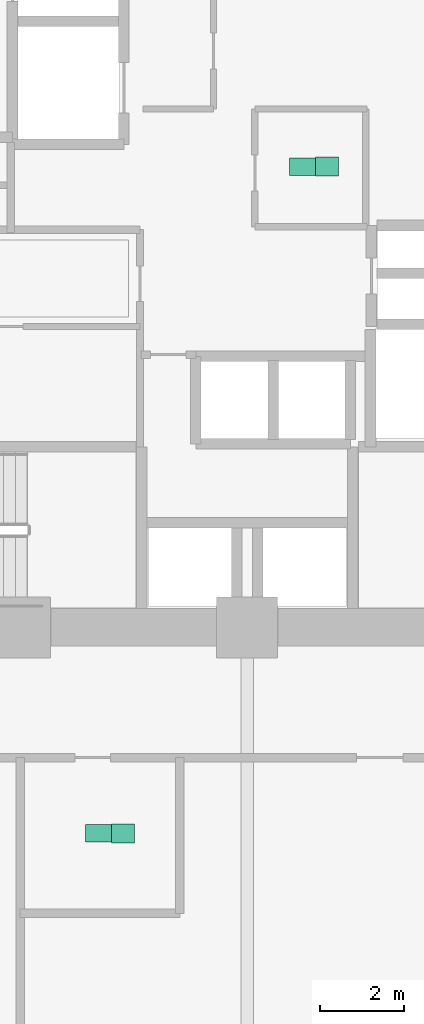
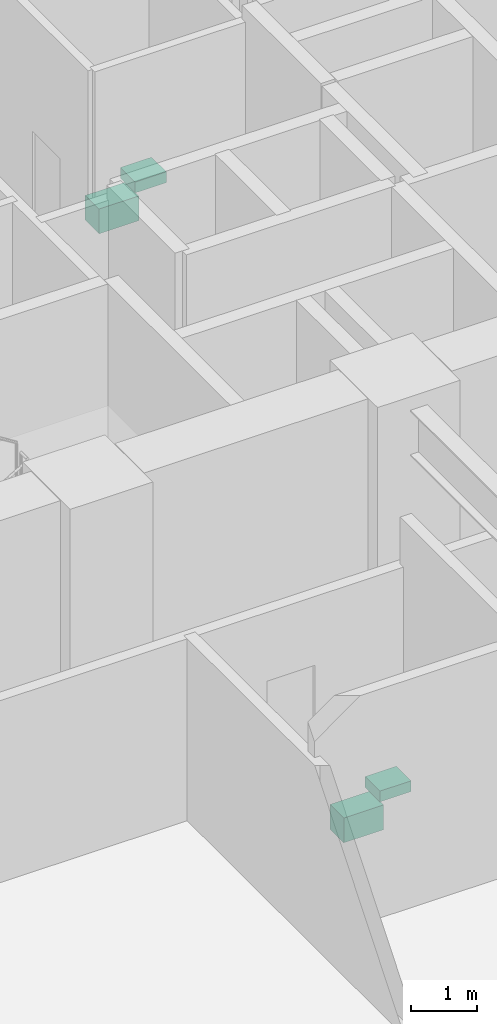
# One storey, part 36 of 36: 4 sanitary terminals.
"""IFC4 building model written with IfcOpenShell, lengths in metres."""

from ifc_helpers import new_model, si_unit, direction, frame, origin, origin_2d, place, context, subcontext, project, spatial, rectangle, extrude, material, type_object, element, save


model = new_model("IFC4")

# Units and contexts
model_context = context("Model", 3, precision=1e-05, world=origin(), true_north=direction((0.0, 1.0)))
body_context = subcontext(model_context, "Body", "Model", "MODEL_VIEW")
ifc_project = project(units=[si_unit("LENGTHUNIT", "METRE"), si_unit("AREAUNIT", "SQUARE_METRE"), si_unit("VOLUMEUNIT", "CUBIC_METRE"), si_unit("PLANEANGLEUNIT", "RADIAN"), si_unit("MASSUNIT", "GRAM", prefix="KILO")], contexts=[model_context])

# Site, building, storey
site_placement = place(None, origin())
site = spatial("IfcSite", under=ifc_project, at=site_placement, CompositionType="ELEMENT")
building_placement = place(site_placement, origin())
building = spatial("IfcBuilding", under=site, at=building_placement, Name="Surkhivell Harbour Commons", CompositionType="ELEMENT")
storey_placement = place(building_placement, frame((0.0, 0.0, 9.0)))
storey = spatial("IfcBuildingStorey", under=building, at=storey_placement, Name="L02", CompositionType="ELEMENT", Elevation=9.0)

# Sanitary terminals
ifc_material_1 = material(Name="Vitreous china washbasin", Category="other")
sanitary_terminal_type_1 = type_object("IfcSanitaryTerminalType", Name="SAN-BSN", PredefinedType="WASHHANDBASIN", material=ifc_material_1)
for number, where, z_axis, x_axis, name in (
    (1, (1.89990234375, 0.14990234375, 0.72021484375), (0.0, 0.0, 1.0), (1.0, 0.0, 0.0), "L02 Core Accessible WC Washbasin"),
    (2, (-2.949951171875, -15.699951171875, 0.72021484375), (0.0, 0.0, 1.0), (1.0, 0.0, 0.0), "L02 Accessible WC Washbasin"),
):
    element("IfcSanitaryTerminal", number, at=place(storey_placement, frame(where, z_axis=z_axis, x_axis=x_axis)), inside=storey, type_object=sanitary_terminal_type_1, Name=name, PredefinedType="WASHHANDBASIN", context=body_context, shape_type="SweptSolid", body=[
        extrude(rectangle(XDim=0.550048828125, YDim=0.449951171875, at=origin_2d()), origin(), (0.0, 0.0, 1.0), 0.199951171875),
    ])
ifc_material_2 = material(Name="Vitreous china sanitaryware", Category="other")
sanitary_terminal_type_2 = type_object("IfcSanitaryTerminalType", Name="SAN-WC-ACC", PredefinedType="TOILETPAN", material=ifc_material_2)
for number, where, z_axis, x_axis, name in (
    (3, (1.35009765625, 0.14990234375, 0.169921875), (0.0, 0.0, 1.0), (1.0, 0.0, 0.0), "L02 Core Accessible WC"),
    (4, (-3.5, -15.699951171875, 0.169921875), (0.0, 0.0, 1.0), (1.0, 0.0, 0.0), "L02 Accessible WC"),
):
    element("IfcSanitaryTerminal", number, at=place(storey_placement, frame(where, z_axis=z_axis, x_axis=x_axis)), inside=storey, type_object=sanitary_terminal_type_2, Name=name, PredefinedType="TOILETPAN", context=body_context, shape_type="SweptSolid", body=[
        extrude(rectangle(XDim=0.699951171875, YDim=0.419921875, at=origin_2d()), origin(), (0.0, 0.0, 1.0), 0.4599609375),
    ])

save(model, "model.ifc")
